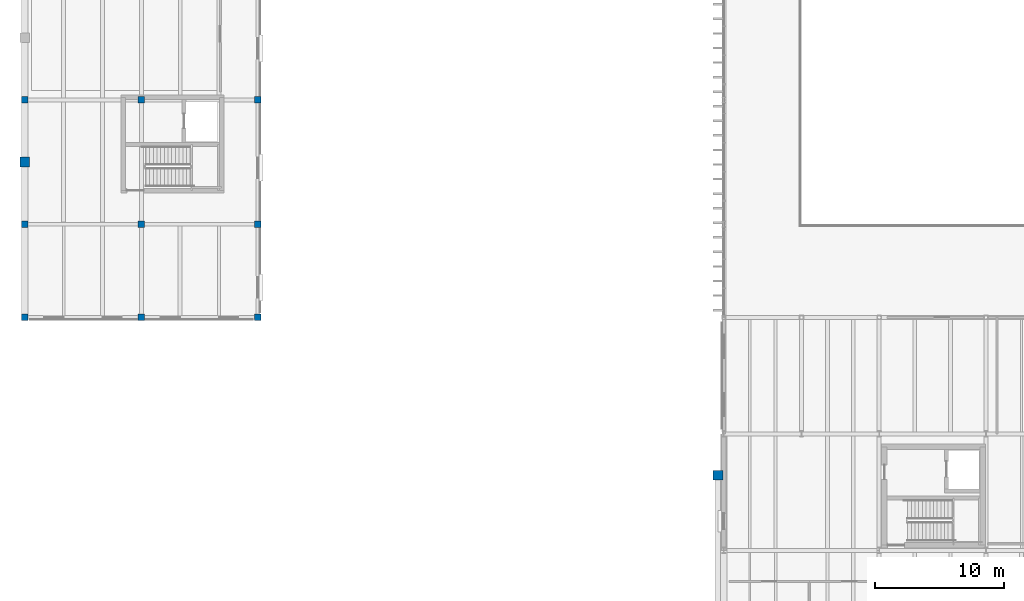
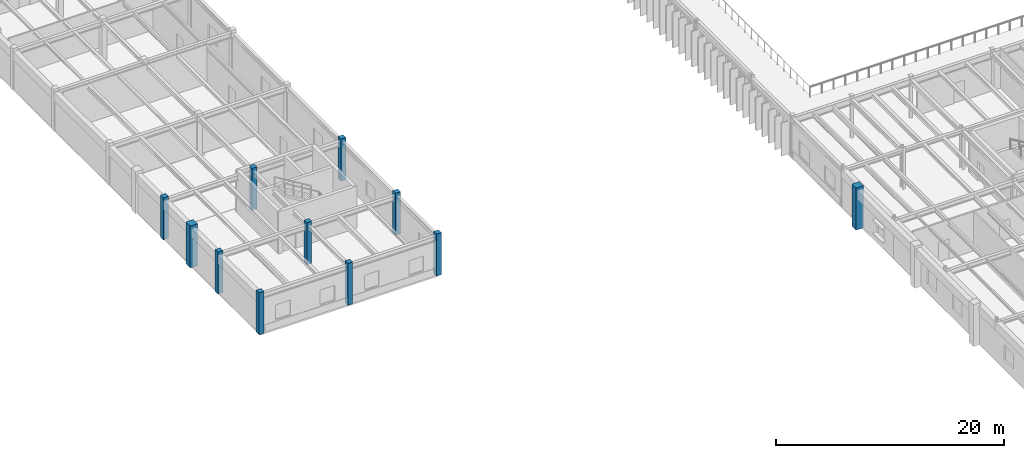
# One storey, part 2 of 64: 11 columns.
"""IFC4 building model written with IfcOpenShell, lengths in metres."""

from ifc_helpers import new_model, si_unit, direction, frame, origin, origin_2d, place, context, subcontext, project, spatial, rectangle, extrude, material, material_profile, profile_set, type_object, element, save


model = new_model("IFC4")

# Units and contexts
model_context = context("Model", 3, precision=1e-05, world=origin(), true_north=direction((0.0, 1.0)))
body_context = subcontext(model_context, "Body", "Model", "MODEL_VIEW")
ifc_project = project(units=[si_unit("LENGTHUNIT", "METRE"), si_unit("AREAUNIT", "SQUARE_METRE"), si_unit("VOLUMEUNIT", "CUBIC_METRE"), si_unit("PLANEANGLEUNIT", "RADIAN"), si_unit("MASSUNIT", "GRAM", prefix="KILO")], contexts=[model_context])

# Site, building, storey
site_placement = place(None, origin())
site = spatial("IfcSite", under=ifc_project, at=site_placement, CompositionType="ELEMENT")
building_placement = place(site_placement, origin())
building = spatial("IfcBuilding", under=site, at=building_placement, Name="Montealbar Specialist Clinic", CompositionType="ELEMENT")
storey_placement = place(building_placement, frame((0.0, 0.0, 5.10009765625)))
storey = spatial("IfcBuildingStorey", under=building, at=storey_placement, Name="L01", CompositionType="ELEMENT", Elevation=5.10009765625)

# Columns
ifc_material_1 = material(Name="Concrete C35/45", Category="concrete")
ifc_material_profile_1 = material_profile(ifc_material_1, rectangle(XDim=0.5, YDim=0.5, at=origin_2d()), Name="RC 500x500", Category="concrete")
ifc_profile_set_1 = profile_set([ifc_material_profile_1], Name="Concrete C35/45")
column_type_1 = type_object("IfcColumnType", Name="COL-RC-L01", PredefinedType="COLUMN", material=ifc_profile_set_1)
for number, where, z_axis, x_axis, name in (
    (1, (9.0, 52.199951171875, 0.0), (0.0, 0.0, 1.0), (1.0, 0.0, 0.0), "Column 2/G L01"),
    (2, (9.0, 61.800048828125, 0.0), (0.0, 0.0, 1.0), (1.0, 0.0, 0.0), "Column 2/H L01"),
):
    element("IfcColumn", number, at=place(storey_placement, frame(where, z_axis=z_axis, x_axis=x_axis)), inside=storey, type_object=column_type_1, Name=name, PredefinedType="COLUMN", context=body_context, shape_type="SweptSolid", body=[
        extrude(rectangle(XDim=0.5, YDim=0.5, at=origin_2d()), origin(), (0.0, 0.0, 1.0), 4.5),
    ])
ifc_material_profile_2 = material_profile(ifc_material_1, rectangle(XDim=0.5, YDim=0.5, at=origin_2d()), Name="RC 500x500", Category="concrete")
ifc_profile_set_2 = profile_set([ifc_material_profile_2], Name="Concrete C35/45")
column_type_2 = type_object("IfcColumnType", Name="COL-RC-L01-EXT", PredefinedType="COLUMN", material=ifc_profile_set_2)
for number, where, z_axis, x_axis, name in (
    (3, (0.0, 45.0, 0.0), (0.0, 0.0, 1.0), (1.0, 0.0, 0.0), "Column 1/F L01"),
    (4, (0.0, 52.199951171875, 0.0), (0.0, 0.0, 1.0), (1.0, 0.0, 0.0), "Column 1/G L01"),
    (5, (0.0, 61.800048828125, 0.0), (0.0, 0.0, 1.0), (1.0, 0.0, 0.0), "Column 1/H L01"),
    (6, (9.0, 45.0, 0.0), (0.0, 0.0, 1.0), (1.0, 0.0, 0.0), "Column 2/F L01"),
    (7, (18.0, 45.0, 0.0), (0.0, 0.0, 1.0), (1.0, 0.0, 0.0), "Column 3/F L01"),
    (8, (18.0, 52.199951171875, 0.0), (0.0, 0.0, 1.0), (1.0, 0.0, 0.0), "Column 3/G L01"),
    (9, (18.0, 61.800048828125, 0.0), (0.0, 0.0, 1.0), (1.0, 0.0, 0.0), "Column 3/H L01"),
):
    element("IfcColumn", number, at=place(storey_placement, frame(where, z_axis=z_axis, x_axis=x_axis)), inside=storey, type_object=column_type_2, Name=name, PredefinedType="COLUMN", context=body_context, shape_type="SweptSolid", body=[
        extrude(rectangle(XDim=0.5, YDim=0.5, at=origin_2d()), origin(), (0.0, 0.0, 1.0), 4.5),
    ])
ifc_material_2 = material(Name="Guadarrama granite ashlar", Category="masonry")
ifc_material_profile_3 = material_profile(ifc_material_2, rectangle(XDim=0.75, YDim=0.75, at=origin_2d()), Name="GRANITE PILASTER 750x750", Category="masonry")
ifc_profile_set_3 = profile_set([ifc_material_profile_3], Name="Guadarrama granite ashlar")
column_type_3 = type_object("IfcColumnType", Name="PIL-PM-GIANT-EXT", PredefinedType="PILASTER", material=ifc_profile_set_3)
for number, where, z_axis, x_axis, name in (
    (10, (0.0, 57.0, 0.0), (0.0, 0.0, 1.0), (1.0, 0.0, 0.0), "Column WP1/GH L01"),
    (11, (53.550048828125, 32.800048828125, 0.0), (0.0, 0.0, 1.0), (1.0, 0.0, 0.0), "Column MP3/MC3 L01"),
):
    element("IfcColumn", number, at=place(storey_placement, frame(where, z_axis=z_axis, x_axis=x_axis)), inside=storey, type_object=column_type_3, Name=name, PredefinedType="PILASTER", context=body_context, shape_type="SweptSolid", body=[
        extrude(rectangle(XDim=0.75, YDim=0.75, at=origin_2d()), origin(), (0.0, 0.0, 1.0), 4.5),
    ])

save(model, "model.ifc")
